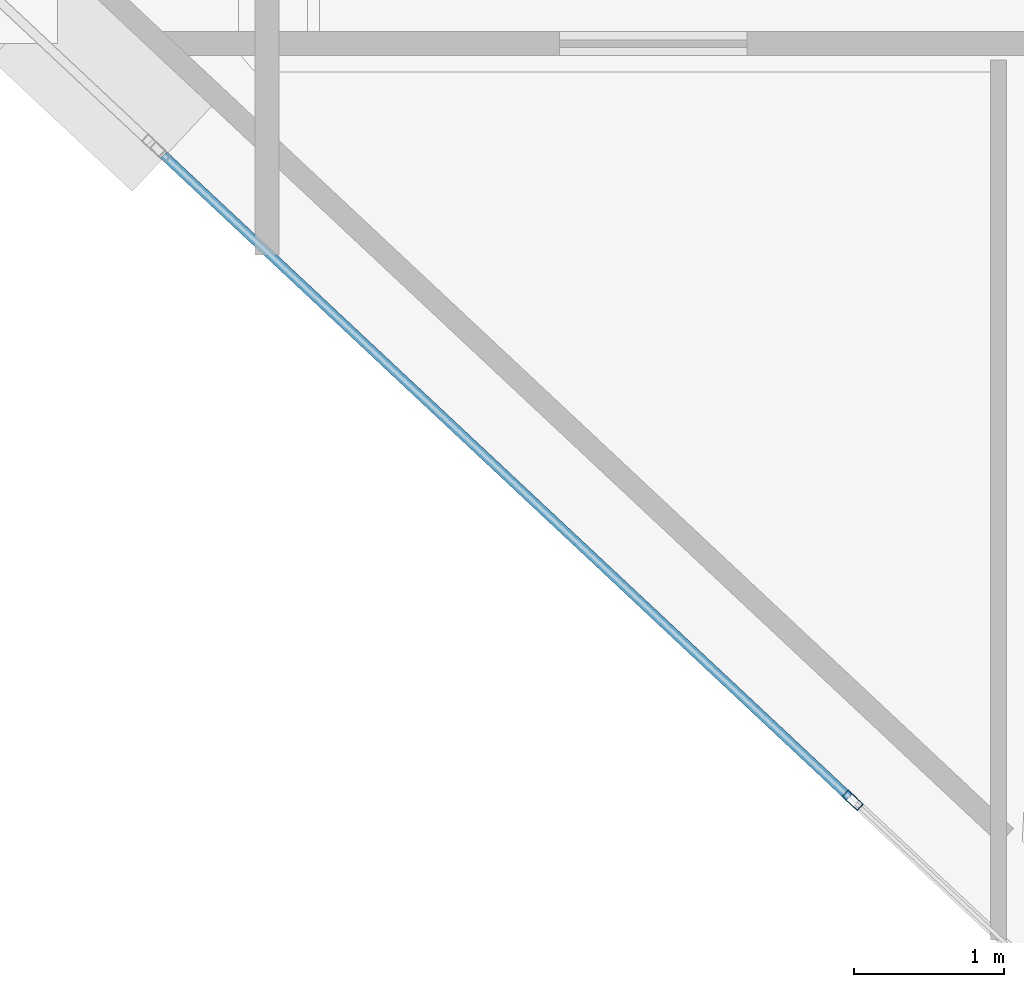
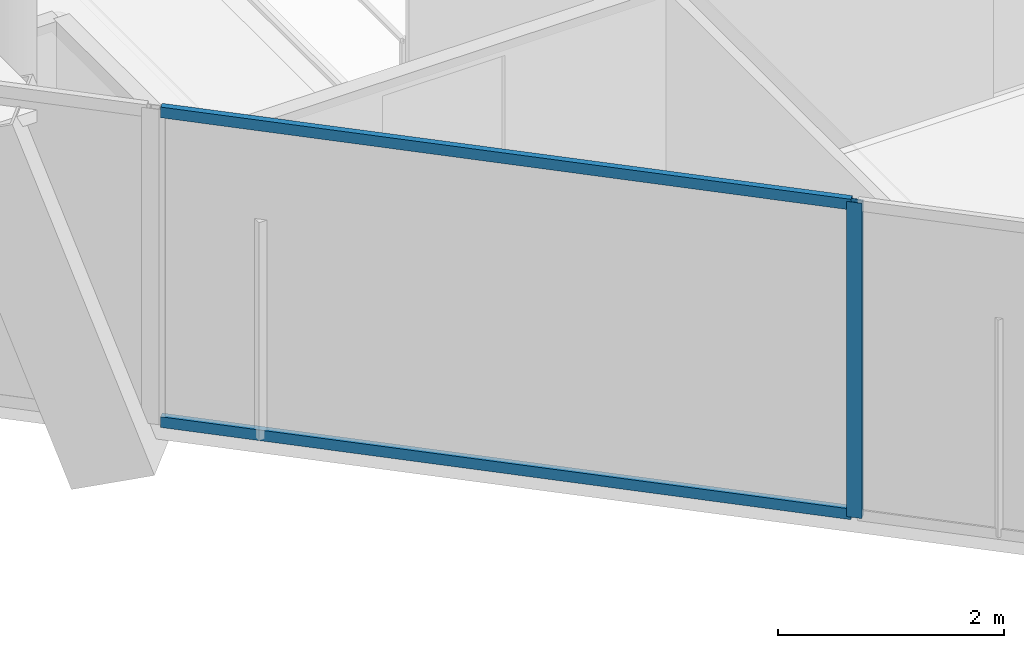
# One storey, part 2 of 18: 3 members, 1 element without a shape of its own.
"""IFC4 building model written with IfcOpenShell, lengths in metres."""

from ifc_helpers import new_model, si_unit, direction, frame, origin, origin_2d, place, context, subcontext, project, spatial, hollow_rectangle, extrude, material, layer, layer_set, material_profile, profile_set, type_object, element, aggregate, save


model = new_model("IFC4")

# Units and contexts
model_context = context("Model", 3, precision=1e-05, world=origin(), true_north=direction((0.0, 1.0)))
body_context = subcontext(model_context, "Body", "Model", "MODEL_VIEW")
ifc_project = project(units=[si_unit("LENGTHUNIT", "METRE"), si_unit("AREAUNIT", "SQUARE_METRE"), si_unit("VOLUMEUNIT", "CUBIC_METRE"), si_unit("PLANEANGLEUNIT", "RADIAN"), si_unit("MASSUNIT", "GRAM", prefix="KILO")], contexts=[model_context])

# Site, building, storey
site_placement = place(None, origin())
site = spatial("IfcSite", under=ifc_project, at=site_placement, CompositionType="ELEMENT")
building_placement = place(site_placement, origin())
building = spatial("IfcBuilding", under=site, at=building_placement, Name="Qianvela Tower", CompositionType="ELEMENT")
storey_placement = place(building_placement, frame((0.0, 0.0, 348.10009765625)))
storey = spatial("IfcBuildingStorey", under=building, at=storey_placement, Name="L90", CompositionType="ELEMENT", Elevation=348.10009765625)

# Curtain wall, members
ifc_material_1 = material(Name="Anodised Architectural Aluminium and Low-E Glass", Category="aluminium")
ifc_layer = layer(ifc_material_1, 0.14990234375)
ifc_layer_set = layer_set([ifc_layer], Name="Anodised Architectural Aluminium and Low-E Glass")
curtain_wall_type = type_object("IfcCurtainWallType", Name="CW-COLIV-Z78", PredefinedType="USERDEFINED", material=ifc_layer_set)
curtain_wall_placement = place(storey_placement, origin())
curtain_wall = element("IfcCurtainWall", 1, at=curtain_wall_placement, inside=storey, type_object=curtain_wall_type, Name="L90 CW-COLIV-Z78 Curtain Wall 04C", ObjectType="CURTAIN_WALL_SYSTEM", PredefinedType="USERDEFINED")
ifc_material_2 = material(Name="Anodised Architectural Aluminium 6063-T6", Category="aluminium")
ifc_material_profile_1 = material_profile(ifc_material_2, hollow_rectangle(XDim=0.06005859375, YDim=0.139892578125, WallThickness=0.00439453125, at=origin_2d()), Name="ALU-MULL-60x140")
ifc_profile_set_1 = profile_set([ifc_material_profile_1], Name="Anodised Architectural Aluminium 6063-T6")
member_type_1 = type_object("IfcMemberType", Name="CW-COLIV-Z78-MULL", PredefinedType="MULLION", material=ifc_profile_set_1)
member_1_placement = place(storey_placement, frame((34.133544921875, 11.03759765625, 0.0), z_axis=(0.0, 0.0, 1.0), x_axis=(0.683533081208, 0.729919534534, 0.0)))
member_1 = element("IfcMember", 2, at=member_1_placement, type_object=member_type_1, Name="CW-6 mullion 2", PredefinedType="MULLION", context=body_context, shape_type="SweptSolid", body=[
    extrude(hollow_rectangle(XDim=0.06005859375, YDim=0.139892578125, WallThickness=0.00439453125, at=origin_2d()), origin(), (0.0, 0.0, 1.0), 3.39990234375),
])
ifc_material_3 = material(Name="Anodised Architectural Aluminium 6063-T6", Category="aluminium")
ifc_material_profile_2 = material_profile(ifc_material_3, hollow_rectangle(XDim=0.06005859375, YDim=0.114990234375, WallThickness=0.00390625, at=origin_2d()), Name="ALU-TRAN-60x115")
ifc_profile_set_2 = profile_set([ifc_material_profile_2], Name="Anodised Architectural Aluminium 6063-T6")
member_type_2 = type_object("IfcMemberType", Name="CW-COLIV-Z78-TRAN", PredefinedType="USERDEFINED", material=ifc_profile_set_2)
member_2_placement = place(storey_placement, frame((29.540771484375, 15.33837890625, 0.02978515625), z_axis=(0.729923720234, -0.683528611427, 0.0), x_axis=(0.683528611427, 0.729923720234, 0.0)))
member_2 = element("IfcMember", 3, at=member_2_placement, type_object=member_type_2, Name="CW-6 transom 1.1", ObjectType="TRANSOM", PredefinedType="USERDEFINED", context=body_context, shape_type="SweptSolid", body=[
    extrude(hollow_rectangle(XDim=0.06005859375, YDim=0.114990234375, WallThickness=0.00390625, at=origin_2d()), origin(), (0.0, 0.0, 1.0), 6.261962890625),
])
member_3_placement = place(storey_placement, frame((29.540771484375, 15.33837890625, 3.369873046875), z_axis=(0.729923720234, -0.683528611427, 0.0), x_axis=(0.683528611427, 0.729923720234, 0.0)))
member_3 = element("IfcMember", 4, at=member_3_placement, type_object=member_type_2, Name="CW-6 transom 1.2", ObjectType="TRANSOM", PredefinedType="USERDEFINED", context=body_context, shape_type="SweptSolid", body=[
    extrude(hollow_rectangle(XDim=0.06005859375, YDim=0.114990234375, WallThickness=0.00390625, at=origin_2d()), origin(), (0.0, 0.0, 1.0), 6.261962890625),
])
aggregate(curtain_wall, [member_1, member_2, member_3])

save(model, "model.ifc")
